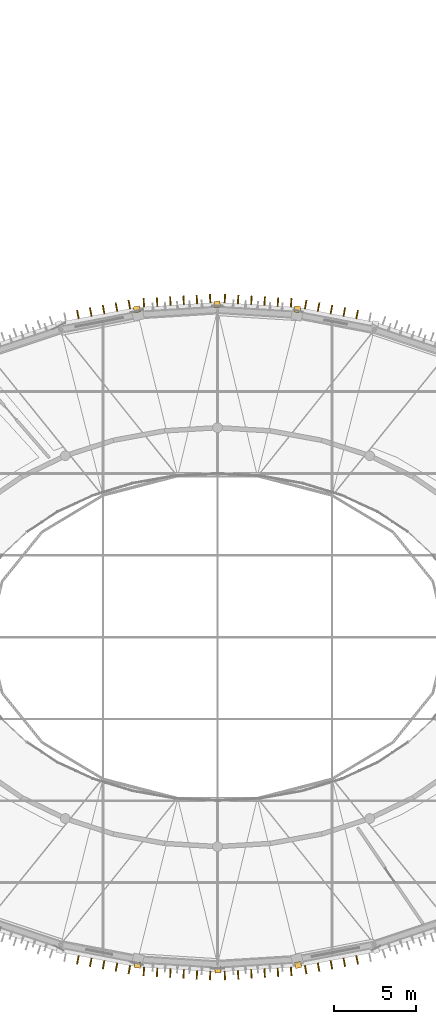
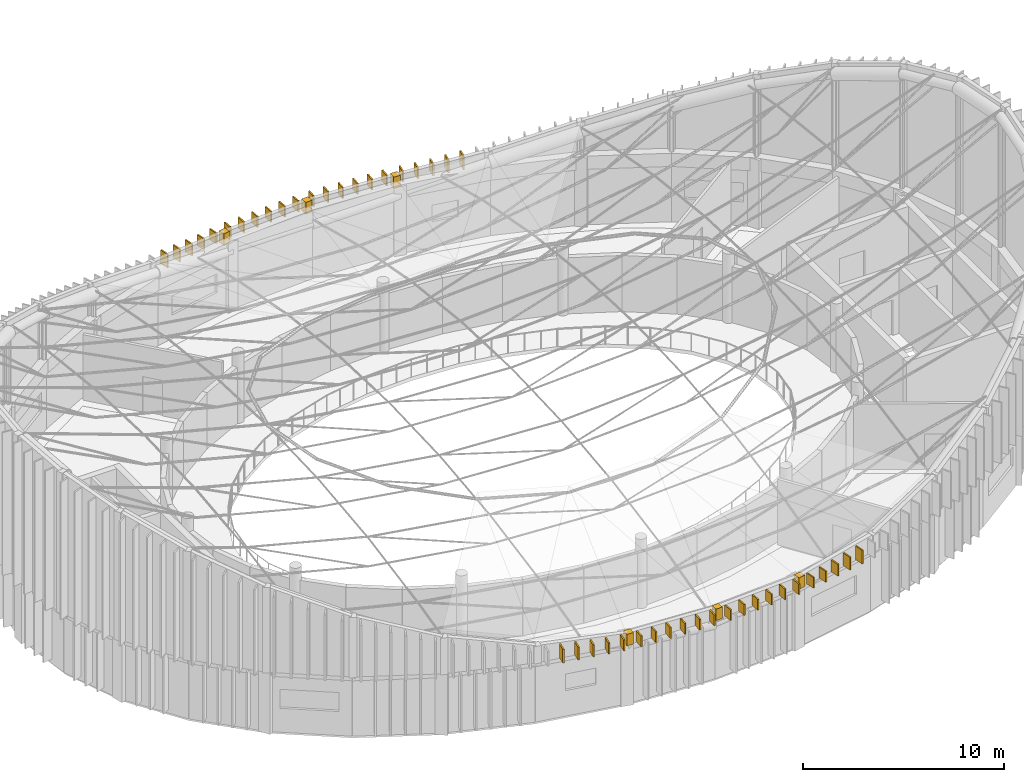
# One storey, part 36 of 36: 44 shading devices, 6 coverings.
"""IFC4 building model written with IfcOpenShell, lengths in metres."""

import ifcopenshell
import ifcopenshell.guid

model = None  # the IFC model being written
_history = None  # IfcOwnerHistory: only IFC2X3 demands one
_inside = {}  # id of a spatial element -> (the spatial element, [elements in it])
_under = {}  # id of a project, library or spatial element -> (it, [spatial elements below it])
_declared = {}  # id of a project -> (the project, [libraries it declares])
_typed = {}  # id of a type object -> (the type object, [elements of that type])
_made_of = {}  # id of a material, layer set ... -> (it, [elements and type objects made of it])


def new_model(schema):
    """Start an empty IFC model of exactly this schema.

    Asked for "IFC4X3", IfcOpenShell would pick the latest addendum, in which some entities
    have other attributes; the version numbers below select the first issue.
    IFC2X3 requires an IfcOwnerHistory on every rooted entity: one is made here for all.
    """
    global model, _history
    if schema == "IFC4X3":
        model = ifcopenshell.file(schema_version=(4, 3, 0, 0))
    else:
        model = ifcopenshell.file(schema=schema)
    _inside.clear()
    _under.clear()
    _declared.clear()
    _typed.clear()
    _made_of.clear()
    _history = None
    if model.schema == "IFC2X3":
        org = make("IfcOrganization", Name="unknown")
        user = make(
            "IfcPersonAndOrganization",
            ThePerson=make("IfcPerson", FamilyName="unknown"),
            TheOrganization=org,
        )
        app = make(
            "IfcApplication",
            ApplicationDeveloper=org,
            Version="unknown",
            ApplicationFullName="unknown",
            ApplicationIdentifier="unknown",
        )
        _history = make(
            "IfcOwnerHistory",
            OwningUser=user,
            OwningApplication=app,
            ChangeAction="ADDED",
            CreationDate=0,
        )
    return model


def make(cls, **values):
    """One entity of the class cls with the attributes given. An attribute that is None is left unset."""
    return model.create_entity(
        cls, **{name: value for name, value in values.items() if value is not None}
    )


def rooted(cls, **values):
    """An entity with a GlobalId (a new one), such as an element, a storey or a relation."""
    return make(cls, GlobalId=ifcopenshell.guid.new(), OwnerHistory=_history, **values)


def si_unit(unit_type, name, prefix=None):
    """IfcSIUnit, for example si_unit("LENGTHUNIT", "METRE", prefix="MILLI")."""
    return make("IfcSIUnit", UnitType=unit_type, Prefix=prefix, Name=name)


def assignment(units):
    """IfcUnitAssignment: the units of a project."""
    return None if units is None else make("IfcUnitAssignment", Units=units)


def point(xyz):
    """IfcCartesianPoint."""
    return None if xyz is None else make("IfcCartesianPoint", Coordinates=xyz)


def direction(xyz):
    """IfcDirection."""
    return None if xyz is None else make("IfcDirection", DirectionRatios=xyz)


def frame(location, z_axis=None, x_axis=None):
    """IfcAxis2Placement3D, a coordinate frame: its origin and axes. An axis left out is left unset."""
    return make(
        "IfcAxis2Placement3D",
        Location=point(location),
        Axis=direction(z_axis),
        RefDirection=direction(x_axis),
    )


def frame_2d(location, x_axis=None):
    """IfcAxis2Placement2D, a coordinate frame in the plane: its origin and x axis."""
    return make(
        "IfcAxis2Placement2D", Location=point(location), RefDirection=direction(x_axis)
    )


def origin():
    """The frame at (0, 0, 0) with its axes left unset."""
    return frame((0.0, 0.0, 0.0))


def origin_2d():
    """The frame at (0, 0) in the plane with its x axis left unset."""
    return frame_2d((0.0, 0.0))


def place(relative_to, where):
    """IfcLocalPlacement: puts the frame where relative to a parent placement (None: the world)."""
    return make(
        "IfcLocalPlacement", PlacementRelTo=relative_to, RelativePlacement=where
    )


def context(
    kind, dimensions, precision=None, world=None, true_north=None, identifier=None
):
    """IfcGeometricRepresentationContext, for example the 3D "Model" context."""
    return make(
        "IfcGeometricRepresentationContext",
        ContextIdentifier=identifier,
        ContextType=kind,
        CoordinateSpaceDimension=dimensions,
        Precision=precision,
        WorldCoordinateSystem=world,
        TrueNorth=true_north,
    )


def subcontext(parent, identifier, kind, view, scale=None):
    """IfcGeometricRepresentationSubContext, for example "Body" below "Model"."""
    return make(
        "IfcGeometricRepresentationSubContext",
        ContextIdentifier=identifier,
        ContextType=kind,
        ParentContext=parent,
        TargetScale=scale,
        TargetView=view,
    )


def project(units=None, contexts=None):
    """IfcProject with its units and contexts."""
    return rooted(
        "IfcProject",
        Name="project",
        RepresentationContexts=contexts,
        UnitsInContext=assignment(units),
    )


def spatial(cls, under=None, at=None, **own):
    """A site, building, storey or space (cls), placed at a placement, below another one or the project."""
    s = rooted(cls, ObjectPlacement=at, **own)
    if under is not None:
        _under.setdefault(under.id(), (under, []))[1].append(s)
    return s


def profile(cls, at=None, kind="AREA", **sizes):
    """A parametric profile (cls). Its sizes go by their IFC names, for example OverallWidth=200.0."""
    return make(cls, ProfileType=kind, Position=at, **sizes)


def rectangle(**sizes):
    """IfcRectangleProfileDef."""
    return profile("IfcRectangleProfileDef", **sizes)


def extrude(swept, where, along, depth):
    """IfcExtrudedAreaSolid: the profile swept, set in the frame where, extruded along a direction by depth."""
    return make(
        "IfcExtrudedAreaSolid",
        SweptArea=swept,
        Position=where,
        ExtrudedDirection=direction(along),
        Depth=depth,
    )


def shape(context_of_items, identifier, shape_type, items):
    """IfcShapeRepresentation: the items that make up one representation, for example the "Body"."""
    return make(
        "IfcShapeRepresentation",
        ContextOfItems=context_of_items,
        RepresentationIdentifier=identifier,
        RepresentationType=shape_type,
        Items=items,
    )


def material(Name=None, Category=None):
    """IfcMaterial."""
    return make("IfcMaterial", Name=Name, Category=Category)


def layer(
    of_material, thickness, ventilated=None, Name=None, Category=None, Priority=None
):
    """IfcMaterialLayer: one layer of a wall or slab, of a material (None: an air gap)."""
    return make(
        "IfcMaterialLayer",
        Material=of_material,
        LayerThickness=thickness,
        IsVentilated=ventilated,
        Name=Name,
        Category=Category,
        Priority=Priority,
    )


def layer_set(layers, Name=None):
    """IfcMaterialLayerSet."""
    return make("IfcMaterialLayerSet", MaterialLayers=layers, LayerSetName=Name)


def made_of(thing, what):
    """Note that an element or type object is made of a material, layer set ...; save() writes the relation."""
    if what is not None:
        _made_of.setdefault(what.id(), (what, []))[1].append(thing)
    return thing


def type_object(cls, material=None, **own):
    """A type object (cls), such as IfcWallType, which elements share."""
    return made_of(rooted(cls, **own), material)


def element(
    cls,
    number,
    at=None,
    inside=None,
    cuts=None,
    type_object=None,
    material=None,
    context=None,
    identifier="Body",
    shape_type=None,
    held_by="IfcProductDefinitionShape",
    body=None,
    shapes=None,
    **own,
):
    """One element of the class cls, such as IfcWall. Its Tag is "e" and its number.

    at: its placement. inside: the storey or other place that contains it. cuts: it is an
    opening in that element (IfcRelVoidsElement). A single representation is given by context,
    identifier, shape_type and body (its items); several are given by shapes. held_by: the class
    of the entity that holds the representations. save() writes the other relations.
    """
    e = rooted(cls, Tag="e%d" % number, ObjectPlacement=at, **own)
    if body is not None:
        shapes = [shape(context, identifier, shape_type, body)]
    if shapes is not None:
        e.Representation = make(held_by, Representations=shapes)
    if inside is not None:
        _inside.setdefault(inside.id(), (inside, []))[1].append(e)
    if cuts is not None:
        rooted(
            "IfcRelVoidsElement", RelatingBuildingElement=cuts, RelatedOpeningElement=e
        )
    if type_object is not None:
        _typed.setdefault(type_object.id(), (type_object, []))[1].append(e)
    return made_of(e, material)


def aggregate(whole, parts):
    """IfcRelAggregates: a whole, such as a stair, and the parts it consists of."""
    return rooted("IfcRelAggregates", RelatingObject=whole, RelatedObjects=parts)


def save(model, path):
    """Write the relations noted so far, then the file.

    IfcRelAggregates (storeys below a building ...), IfcRelContainedInSpatialStructure (elements
    in a storey), IfcRelDefinesByType, IfcRelAssociatesMaterial and IfcRelDeclares: one each for
    every whole, place, type object, material and project.
    """
    for whole, parts in _under.values():
        aggregate(whole, parts)
    for where, things in _inside.values():
        rooted(
            "IfcRelContainedInSpatialStructure",
            RelatedElements=things,
            RelatingStructure=where,
        )
    for kind, things in _typed.values():
        rooted("IfcRelDefinesByType", RelatedObjects=things, RelatingType=kind)
    for what, things in _made_of.values():
        rooted("IfcRelAssociatesMaterial", RelatedObjects=things, RelatingMaterial=what)
    for by, libraries in _declared.values():
        rooted("IfcRelDeclares", RelatingContext=by, RelatedDefinitions=libraries)
    model.write(path)


model = new_model("IFC4")

# Units and contexts
model_context = context("Model", 3, precision=1e-05, world=origin(), true_north=direction((0.0, 1.0)))
body_context = subcontext(model_context, "Body", "Model", "MODEL_VIEW")
ifc_project = project(units=[si_unit("LENGTHUNIT", "METRE"), si_unit("AREAUNIT", "SQUARE_METRE"), si_unit("VOLUMEUNIT", "CUBIC_METRE"), si_unit("PLANEANGLEUNIT", "RADIAN"), si_unit("MASSUNIT", "GRAM", prefix="KILO")], contexts=[model_context])

# Site, building, storey
site_placement = place(None, origin())
site = spatial("IfcSite", under=ifc_project, at=site_placement, CompositionType="ELEMENT")
building_placement = place(site_placement, origin())
building = spatial("IfcBuilding", under=site, at=building_placement, Name="Tarnveldt Headland Concert Hall", CompositionType="ELEMENT")
storey_placement = place(building_placement, frame((0.0, 0.0, 22.800048828125)))
storey = spatial("IfcBuildingStorey", under=building, at=storey_placement, Name="L05", CompositionType="ELEMENT", Elevation=22.800048828125)

# Coverings
ifc_material_1 = material(Name="Coral-toned precast concrete C40/50", Category="concrete")
ifc_layer = layer(ifc_material_1, 0.360107421875, Name="Coral-toned precast concrete C40/50", Category="concrete")
ifc_layer_set = layer_set([ifc_layer], Name="Coral-toned precast concrete C40/50")
covering_type = type_object("IfcCoveringType", Name="CV-JNT360", PredefinedType="CLADDING", material=ifc_layer_set)
for number, where, z_axis, x_axis, name in (
    (1, (78.573974609375, 74.530029296875, 3.7998046875), (0.0, 0.0, 1.0), (-0.187895613278, 0.982189003456, 0.0), "Precast facade joint closure pilaster L05-362"),
    (2, (78.61669921875, 34.464599609375, 3.7998046875), (0.0, 0.0, 1.0), (-0.062442138662, -0.998048585651, 0.0), "Precast facade joint closure pilaster L05-363"),
    (3, (83.521240234375, 34.16064453125, 3.7998046875), (0.0, 0.0, 1.0), (0.062442138662, -0.998048585651, 0.0), "Precast facade joint closure pilaster L05-364"),
    (4, (83.478759765625, 74.83935546875, 3.7998046875), (0.0, 0.0, 1.0), (-0.062442138662, 0.998048585651, 0.0), "Precast facade joint closure pilaster L05-365"),
    (5, (88.38330078125, 74.535400390625, 3.7998046875), (0.0, 0.0, 1.0), (0.062442138662, 0.998048585651, 0.0), "Precast facade joint closure pilaster L05-366"),
    (6, (88.426025390625, 34.469970703125, 3.7998046875), (0.0, 0.0, 1.0), (0.187895613278, -0.982189003456, 0.0), "Precast facade joint closure pilaster L05-367"),
):
    element("IfcCovering", number, at=place(storey_placement, frame(where, z_axis=z_axis, x_axis=x_axis)), inside=storey, type_object=covering_type, Name=name, PredefinedType="CLADDING", context=body_context, shape_type="SweptSolid", body=[
        extrude(rectangle(XDim=0.3798828125, YDim=0.3798828125, at=origin_2d()), origin(), (0.0, 0.0, 1.0), 0.699951171875),
    ])

# Shading devices
ifc_material_2 = material(Name="Terracotta-anodised aluminium EN AW-6063-T6", Category="masonry")
shading_device_type = type_object("IfcShadingDeviceType", Name="SD-FIN520", PredefinedType="USERDEFINED", material=ifc_material_2)
shading_device_1_placement = place(storey_placement, frame((92.032470703125, 74.2216796875, 3.849853515625), z_axis=(0.0, 0.0, 1.0), x_axis=(0.187895613278, 0.982189003456, 0.0)))
element("IfcShadingDevice", 7, at=shading_device_1_placement, inside=storey, type_object=shading_device_type, Name="Crown terracotta louvre fin 8-2", ObjectType="FIN", PredefinedType="USERDEFINED", context=body_context, shape_type="SweptSolid", body=[
    extrude(rectangle(XDim=0.52001953125, YDim=0.080078125, at=origin_2d()), origin(), (0.0, 0.0, 1.0), 0.83203125),
])
shading_device_2_placement = place(storey_placement, frame((91.24658203125, 74.3720703125, 3.85009765625), z_axis=(0.0, 0.0, 1.0), x_axis=(0.187895613278, 0.982189003456, 0.0)))
element("IfcShadingDevice", 8, at=shading_device_2_placement, inside=storey, type_object=shading_device_type, Name="Crown terracotta louvre fin 8-3", ObjectType="FIN", PredefinedType="USERDEFINED", context=body_context, shape_type="SweptSolid", body=[
    extrude(rectangle(XDim=0.52001953125, YDim=0.080078125, at=origin_2d()), origin(), (0.0, 0.0, 1.0), 0.773681640625),
])
shading_device_3_placement = place(storey_placement, frame((90.4609375, 74.5224609375, 3.85009765625), z_axis=(0.0, 0.0, 1.0), x_axis=(0.187895613278, 0.982189003456, 0.0)))
element("IfcShadingDevice", 9, at=shading_device_3_placement, inside=storey, type_object=shading_device_type, Name="Crown terracotta louvre fin 8-4", ObjectType="FIN", PredefinedType="USERDEFINED", context=body_context, shape_type="SweptSolid", body=[
    extrude(rectangle(XDim=0.52001953125, YDim=0.080078125, at=origin_2d()), origin(), (0.0, 0.0, 1.0), 0.715576171875),
])
shading_device_4_placement = place(storey_placement, frame((89.675048828125, 74.6728515625, 3.85009765625), z_axis=(0.0, 0.0, 1.0), x_axis=(0.187895613278, 0.982189003456, 0.0)))
element("IfcShadingDevice", 10, at=shading_device_4_placement, inside=storey, type_object=shading_device_type, Name="Crown terracotta louvre fin 8-5", ObjectType="FIN", PredefinedType="USERDEFINED", context=body_context, shape_type="SweptSolid", body=[
    extrude(rectangle(XDim=0.52001953125, YDim=0.080078125, at=origin_2d()), origin(), (0.0, 0.0, 1.0), 0.657470703125),
])
for number, where, z_axis, x_axis, name in (
    (11, (88.889404296875, 74.8232421875, 3.85009765625), (0.0, 0.0, 1.0), (0.187895613278, 0.982189003456, 0.0), "Crown terracotta louvre fin 8-6"),
    (12, (88.00146484375, 74.93505859375, 3.85009765625), (0.0, 0.0, 1.0), (0.062442138662, 0.998048585651, 0.0), "Crown terracotta louvre fin 9-1"),
    (13, (87.191162109375, 74.985595703125, 3.85009765625), (0.0, 0.0, 1.0), (0.062442138662, 0.998048585651, 0.0), "Crown terracotta louvre fin 9-2"),
    (14, (86.380859375, 75.036376953125, 3.85009765625), (0.0, 0.0, 1.0), (0.062442138662, 0.998048585651, 0.0), "Crown terracotta louvre fin 9-3"),
    (15, (85.570556640625, 75.0869140625, 3.85009765625), (0.0, 0.0, 1.0), (0.062442138662, 0.998048585651, 0.0), "Crown terracotta louvre fin 9-4"),
    (16, (84.760009765625, 75.1376953125, 3.85009765625), (0.0, 0.0, 1.0), (0.062442138662, 0.998048585651, 0.0), "Crown terracotta louvre fin 9-5"),
    (17, (83.94970703125, 75.188232421875, 3.85009765625), (0.0, 0.0, 1.0), (0.062442138662, 0.998048585651, 0.0), "Crown terracotta louvre fin 9-6"),
    (18, (83.05029296875, 75.188232421875, 3.85009765625), (0.0, 0.0, 1.0), (-0.062442138662, 0.998048585651, 0.0), "Crown terracotta louvre fin 10-1"),
    (19, (82.239990234375, 75.1376953125, 3.85009765625), (0.0, 0.0, 1.0), (-0.062442138662, 0.998048585651, 0.0), "Crown terracotta louvre fin 10-2"),
    (20, (81.429443359375, 75.0869140625, 3.85009765625), (0.0, 0.0, 1.0), (-0.062442138662, 0.998048585651, 0.0), "Crown terracotta louvre fin 10-3"),
    (21, (80.619140625, 75.036376953125, 3.85009765625), (0.0, 0.0, 1.0), (-0.062442138662, 0.998048585651, 0.0), "Crown terracotta louvre fin 10-4"),
    (22, (79.808837890625, 74.985595703125, 3.85009765625), (0.0, 0.0, 1.0), (-0.062442138662, 0.998048585651, 0.0), "Crown terracotta louvre fin 10-5"),
    (23, (78.99853515625, 74.93505859375, 3.85009765625), (0.0, 0.0, 1.0), (-0.062442138662, 0.998048585651, 0.0), "Crown terracotta louvre fin 10-6"),
    (24, (78.110595703125, 74.8232421875, 3.85009765625), (0.0, 0.0, 1.0), (-0.187895613278, 0.982189003456, 0.0), "Crown terracotta louvre fin 11-1"),
):
    element("IfcShadingDevice", number, at=place(storey_placement, frame(where, z_axis=z_axis, x_axis=x_axis)), inside=storey, type_object=shading_device_type, Name=name, ObjectType="FIN", PredefinedType="USERDEFINED", context=body_context, shape_type="SweptSolid", body=[
        extrude(rectangle(XDim=0.52001953125, YDim=0.080078125, at=origin_2d()), origin(), (0.0, 0.0, 1.0), 0.64990234375),
    ])
shading_device_5_placement = place(storey_placement, frame((77.324951171875, 74.6728515625, 3.85009765625), z_axis=(0.0, 0.0, 1.0), x_axis=(-0.187895613278, 0.982189003456, 0.0)))
element("IfcShadingDevice", 25, at=shading_device_5_placement, inside=storey, type_object=shading_device_type, Name="Crown terracotta louvre fin 11-2", ObjectType="FIN", PredefinedType="USERDEFINED", context=body_context, shape_type="SweptSolid", body=[
    extrude(rectangle(XDim=0.52001953125, YDim=0.080078125, at=origin_2d()), origin(), (0.0, 0.0, 1.0), 0.657470703125),
])
shading_device_6_placement = place(storey_placement, frame((76.5390625, 74.5224609375, 3.85009765625), z_axis=(0.0, 0.0, 1.0), x_axis=(-0.187895613278, 0.982189003456, 0.0)))
element("IfcShadingDevice", 26, at=shading_device_6_placement, inside=storey, type_object=shading_device_type, Name="Crown terracotta louvre fin 11-3", ObjectType="FIN", PredefinedType="USERDEFINED", context=body_context, shape_type="SweptSolid", body=[
    extrude(rectangle(XDim=0.52001953125, YDim=0.080078125, at=origin_2d()), origin(), (0.0, 0.0, 1.0), 0.715576171875),
])
shading_device_7_placement = place(storey_placement, frame((75.75341796875, 74.3720703125, 3.85009765625), z_axis=(0.0, 0.0, 1.0), x_axis=(-0.187895613278, 0.982189003456, 0.0)))
element("IfcShadingDevice", 27, at=shading_device_7_placement, inside=storey, type_object=shading_device_type, Name="Crown terracotta louvre fin 11-4", ObjectType="FIN", PredefinedType="USERDEFINED", context=body_context, shape_type="SweptSolid", body=[
    extrude(rectangle(XDim=0.52001953125, YDim=0.080078125, at=origin_2d()), origin(), (0.0, 0.0, 1.0), 0.773681640625),
])
for number, where, z_axis, x_axis, name in (
    (28, (74.967529296875, 74.2216796875, 3.849853515625), (0.0, 0.0, 1.0), (-0.187895613278, 0.982189003456, 0.0), "Crown terracotta louvre fin 11-5"),
    (29, (74.967529296875, 34.7783203125, 3.849853515625), (0.0, 0.0, 1.0), (-0.187895613278, -0.982189003456, 0.0), "Crown terracotta louvre fin 26-2"),
):
    element("IfcShadingDevice", number, at=place(storey_placement, frame(where, z_axis=z_axis, x_axis=x_axis)), inside=storey, type_object=shading_device_type, Name=name, ObjectType="FIN", PredefinedType="USERDEFINED", context=body_context, shape_type="SweptSolid", body=[
        extrude(rectangle(XDim=0.52001953125, YDim=0.080078125, at=origin_2d()), origin(), (0.0, 0.0, 1.0), 0.83203125),
    ])
shading_device_8_placement = place(storey_placement, frame((75.75341796875, 34.6279296875, 3.85009765625), z_axis=(0.0, 0.0, 1.0), x_axis=(-0.187895613278, -0.982189003456, 0.0)))
element("IfcShadingDevice", 30, at=shading_device_8_placement, inside=storey, type_object=shading_device_type, Name="Crown terracotta louvre fin 26-3", ObjectType="FIN", PredefinedType="USERDEFINED", context=body_context, shape_type="SweptSolid", body=[
    extrude(rectangle(XDim=0.52001953125, YDim=0.080078125, at=origin_2d()), origin(), (0.0, 0.0, 1.0), 0.773681640625),
])
shading_device_9_placement = place(storey_placement, frame((76.5390625, 34.4775390625, 3.85009765625), z_axis=(0.0, 0.0, 1.0), x_axis=(-0.187895613278, -0.982189003456, 0.0)))
element("IfcShadingDevice", 31, at=shading_device_9_placement, inside=storey, type_object=shading_device_type, Name="Crown terracotta louvre fin 26-4", ObjectType="FIN", PredefinedType="USERDEFINED", context=body_context, shape_type="SweptSolid", body=[
    extrude(rectangle(XDim=0.52001953125, YDim=0.080078125, at=origin_2d()), origin(), (0.0, 0.0, 1.0), 0.715576171875),
])
shading_device_10_placement = place(storey_placement, frame((77.324951171875, 34.3271484375, 3.85009765625), z_axis=(0.0, 0.0, 1.0), x_axis=(-0.187895613278, -0.982189003456, 0.0)))
element("IfcShadingDevice", 32, at=shading_device_10_placement, inside=storey, type_object=shading_device_type, Name="Crown terracotta louvre fin 26-5", ObjectType="FIN", PredefinedType="USERDEFINED", context=body_context, shape_type="SweptSolid", body=[
    extrude(rectangle(XDim=0.52001953125, YDim=0.080078125, at=origin_2d()), origin(), (0.0, 0.0, 1.0), 0.657470703125),
])
for number, where, z_axis, x_axis, name in (
    (33, (78.110595703125, 34.1767578125, 3.85009765625), (0.0, 0.0, 1.0), (-0.187895613278, -0.982189003456, 0.0), "Crown terracotta louvre fin 26-6"),
    (34, (78.99853515625, 34.06494140625, 3.85009765625), (0.0, 0.0, 1.0), (-0.062442138662, -0.998048585651, 0.0), "Crown terracotta louvre fin 27-1"),
    (35, (79.808837890625, 34.014404296875, 3.85009765625), (0.0, 0.0, 1.0), (-0.062442138662, -0.998048585651, 0.0), "Crown terracotta louvre fin 27-2"),
    (36, (80.619140625, 33.963623046875, 3.85009765625), (0.0, 0.0, 1.0), (-0.062442138662, -0.998048585651, 0.0), "Crown terracotta louvre fin 27-3"),
    (37, (81.429443359375, 33.9130859375, 3.85009765625), (0.0, 0.0, 1.0), (-0.062442138662, -0.998048585651, 0.0), "Crown terracotta louvre fin 27-4"),
    (38, (82.239990234375, 33.8623046875, 3.85009765625), (0.0, 0.0, 1.0), (-0.062442138662, -0.998048585651, 0.0), "Crown terracotta louvre fin 27-5"),
    (39, (83.05029296875, 33.811767578125, 3.85009765625), (0.0, 0.0, 1.0), (-0.062442138662, -0.998048585651, 0.0), "Crown terracotta louvre fin 27-6"),
    (40, (83.94970703125, 33.811767578125, 3.85009765625), (0.0, 0.0, 1.0), (0.062442138662, -0.998048585651, 0.0), "Crown terracotta louvre fin 28-1"),
    (41, (84.760009765625, 33.8623046875, 3.85009765625), (0.0, 0.0, 1.0), (0.062442138662, -0.998048585651, 0.0), "Crown terracotta louvre fin 28-2"),
    (42, (85.570556640625, 33.9130859375, 3.85009765625), (0.0, 0.0, 1.0), (0.062442138662, -0.998048585651, 0.0), "Crown terracotta louvre fin 28-3"),
    (43, (86.380859375, 33.963623046875, 3.85009765625), (0.0, 0.0, 1.0), (0.062442138662, -0.998048585651, 0.0), "Crown terracotta louvre fin 28-4"),
    (44, (87.191162109375, 34.014404296875, 3.85009765625), (0.0, 0.0, 1.0), (0.062442138662, -0.998048585651, 0.0), "Crown terracotta louvre fin 28-5"),
    (45, (88.00146484375, 34.06494140625, 3.85009765625), (0.0, 0.0, 1.0), (0.062442138662, -0.998048585651, 0.0), "Crown terracotta louvre fin 28-6"),
    (46, (88.889404296875, 34.1767578125, 3.85009765625), (0.0, 0.0, 1.0), (0.187895613278, -0.982189003456, 0.0), "Crown terracotta louvre fin 29-1"),
):
    element("IfcShadingDevice", number, at=place(storey_placement, frame(where, z_axis=z_axis, x_axis=x_axis)), inside=storey, type_object=shading_device_type, Name=name, ObjectType="FIN", PredefinedType="USERDEFINED", context=body_context, shape_type="SweptSolid", body=[
        extrude(rectangle(XDim=0.52001953125, YDim=0.080078125, at=origin_2d()), origin(), (0.0, 0.0, 1.0), 0.64990234375),
    ])
shading_device_11_placement = place(storey_placement, frame((89.675048828125, 34.3271484375, 3.85009765625), z_axis=(0.0, 0.0, 1.0), x_axis=(0.187895613278, -0.982189003456, 0.0)))
element("IfcShadingDevice", 47, at=shading_device_11_placement, inside=storey, type_object=shading_device_type, Name="Crown terracotta louvre fin 29-2", ObjectType="FIN", PredefinedType="USERDEFINED", context=body_context, shape_type="SweptSolid", body=[
    extrude(rectangle(XDim=0.52001953125, YDim=0.080078125, at=origin_2d()), origin(), (0.0, 0.0, 1.0), 0.657470703125),
])
shading_device_12_placement = place(storey_placement, frame((90.4609375, 34.4775390625, 3.85009765625), z_axis=(0.0, 0.0, 1.0), x_axis=(0.187895613278, -0.982189003456, 0.0)))
element("IfcShadingDevice", 48, at=shading_device_12_placement, inside=storey, type_object=shading_device_type, Name="Crown terracotta louvre fin 29-3", ObjectType="FIN", PredefinedType="USERDEFINED", context=body_context, shape_type="SweptSolid", body=[
    extrude(rectangle(XDim=0.52001953125, YDim=0.080078125, at=origin_2d()), origin(), (0.0, 0.0, 1.0), 0.715576171875),
])
shading_device_13_placement = place(storey_placement, frame((91.24658203125, 34.6279296875, 3.85009765625), z_axis=(0.0, 0.0, 1.0), x_axis=(0.187895613278, -0.982189003456, 0.0)))
element("IfcShadingDevice", 49, at=shading_device_13_placement, inside=storey, type_object=shading_device_type, Name="Crown terracotta louvre fin 29-4", ObjectType="FIN", PredefinedType="USERDEFINED", context=body_context, shape_type="SweptSolid", body=[
    extrude(rectangle(XDim=0.52001953125, YDim=0.080078125, at=origin_2d()), origin(), (0.0, 0.0, 1.0), 0.773681640625),
])
shading_device_14_placement = place(storey_placement, frame((92.032470703125, 34.7783203125, 3.849853515625), z_axis=(0.0, 0.0, 1.0), x_axis=(0.187895613278, -0.982189003456, 0.0)))
element("IfcShadingDevice", 50, at=shading_device_14_placement, inside=storey, type_object=shading_device_type, Name="Crown terracotta louvre fin 29-5", ObjectType="FIN", PredefinedType="USERDEFINED", context=body_context, shape_type="SweptSolid", body=[
    extrude(rectangle(XDim=0.52001953125, YDim=0.080078125, at=origin_2d()), origin(), (0.0, 0.0, 1.0), 0.83203125),
])

save(model, "model.ifc")
